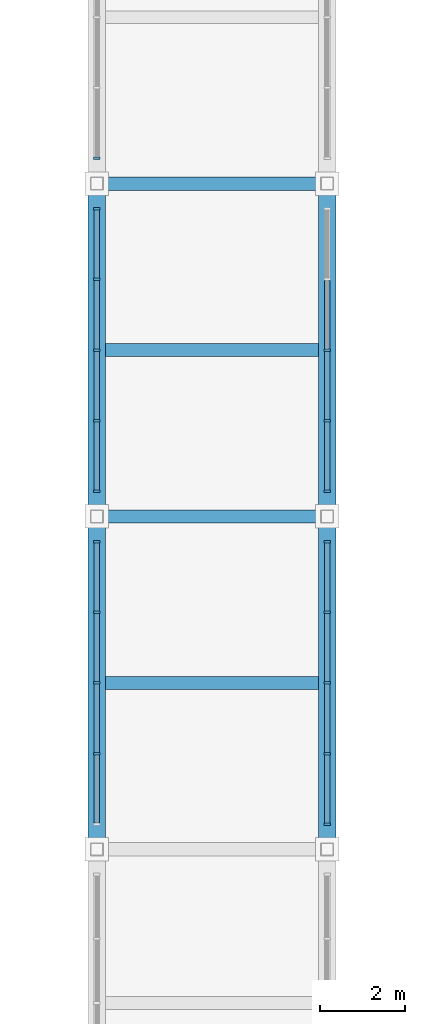
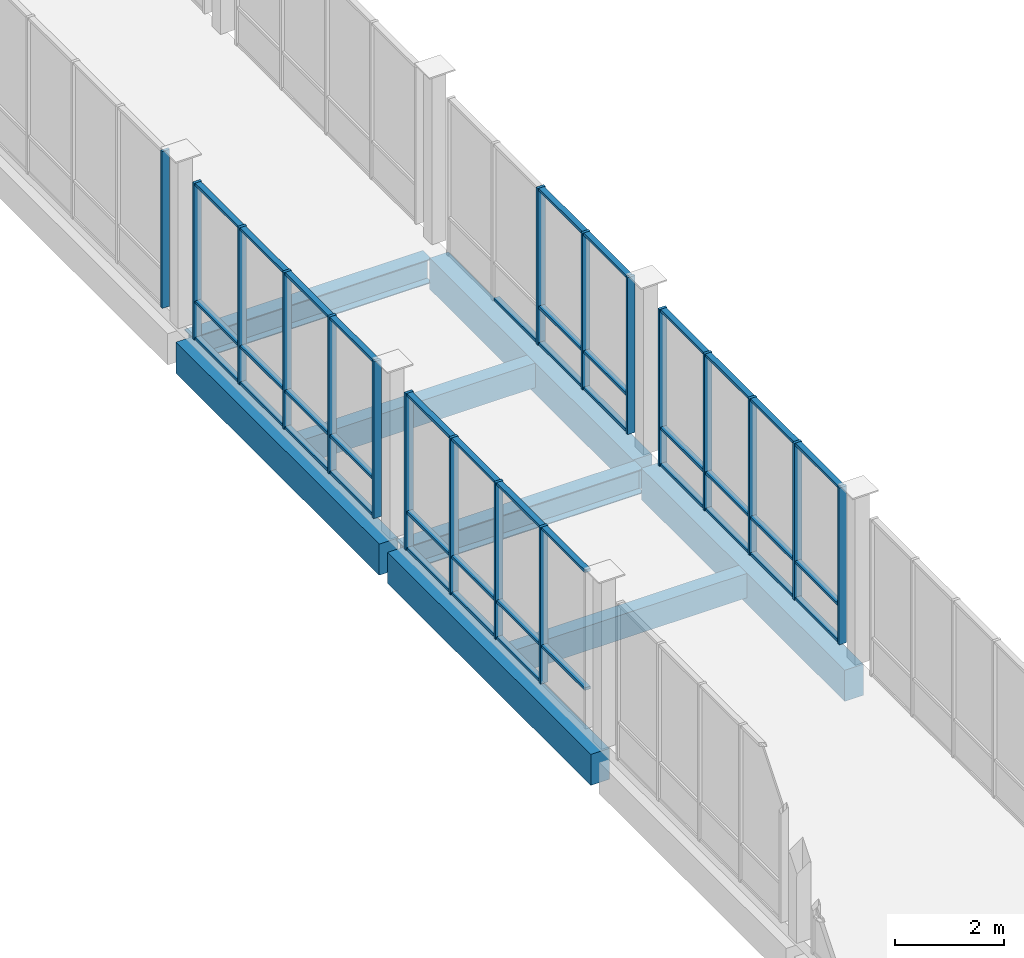
# One storey, part 23 of 85: 60 members, 8 beams, 5 elements without a shape of their own.
"""IFC4 building model written with IfcOpenShell, lengths in metres."""

from ifc_helpers import new_model, si_unit, direction, frame, origin, origin_2d, place, context, subcontext, project, spatial, rectangle, i_section, extrude, material, material_profile, profile_set, type_object, element, aggregate, save


model = new_model("IFC4")

# Units and contexts
model_context = context("Model", 3, precision=1e-05, world=origin(), true_north=direction((0.0, 1.0)))
body_context = subcontext(model_context, "Body", "Model", "MODEL_VIEW")
ifc_project = project(units=[si_unit("LENGTHUNIT", "METRE"), si_unit("AREAUNIT", "SQUARE_METRE"), si_unit("VOLUMEUNIT", "CUBIC_METRE"), si_unit("PLANEANGLEUNIT", "RADIAN"), si_unit("MASSUNIT", "GRAM", prefix="KILO")], contexts=[model_context])

# Site, building, storey
site_placement = place(None, origin())
site = spatial("IfcSite", under=ifc_project, at=site_placement, CompositionType="ELEMENT")
building_placement = place(site_placement, origin())
building = spatial("IfcBuilding", under=site, at=building_placement, Name="Vervanel Yard Central Library", CompositionType="ELEMENT")
storey_placement = place(building_placement, frame((0.0, 0.0, 5.10009765625)))
storey = spatial("IfcBuildingStorey", under=building, at=storey_placement, Name="L01", CompositionType="ELEMENT", Elevation=5.10009765625)

# Curtain wall, members
ifc_material_1 = material(Name="Thermally broken anodized aluminium 6063-T6", Category="aluminium")
curtain_wall_type = type_object("IfcCurtainWallType", Name="Boulevard Cafe & Bridge Curtain Wall", PredefinedType="NOTDEFINED", material=ifc_material_1)
curtain_wall_1_placement = place(storey_placement, origin())
curtain_wall_1 = element("IfcCurtainWall", 1, at=curtain_wall_1_placement, inside=storey, type_object=curtain_wall_type, Name="L01 Boulevard Cafe & Bridge Curtain Wall CWR-L01-179", PredefinedType="NOTDEFINED")
ifc_material_profile_1 = material_profile(ifc_material_1, rectangle(XDim=0.06005859375, YDim=0.159912109375, at=origin_2d()), Name="ALU 60x160", Category="aluminium")
ifc_profile_set_1 = profile_set([ifc_material_profile_1], Name="Thermally broken anodized aluminium 6063-T6")
member_type_1 = type_object("IfcMemberType", Name="Bridge & Courtyard Mullion 60x160", PredefinedType="MULLION", material=ifc_profile_set_1)
member_1_placement = place(storey_placement, frame((72.0, 45.445068359375, 0.0), z_axis=(0.0, 0.0, 1.0), x_axis=(0.0, 1.0, 0.0)))
member_1 = element("IfcMember", 2, at=member_1_placement, type_object=member_type_1, Name="CWR-L01-179 Mullion 2", PredefinedType="MULLION", context=body_context, shape_type="SweptSolid", body=[
    extrude(rectangle(XDim=0.06005859375, YDim=0.159912109375, at=origin_2d()), origin(), (0.0, 0.0, 1.0), 3.52978515625),
])
member_2_placement = place(storey_placement, frame((72.0, 47.10009765625, 0.0), z_axis=(0.0, 0.0, 1.0), x_axis=(0.0, 1.0, 0.0)))
member_2 = element("IfcMember", 3, at=member_2_placement, type_object=member_type_1, Name="CWR-L01-179 Mullion 3", PredefinedType="MULLION", context=body_context, shape_type="SweptSolid", body=[
    extrude(rectangle(XDim=0.06005859375, YDim=0.159912109375, at=origin_2d()), origin(), (0.0, 0.0, 1.0), 3.52978515625),
])
member_3_placement = place(storey_placement, frame((72.0, 48.7548828125, 0.0), z_axis=(0.0, 0.0, 1.0), x_axis=(0.0, 1.0, 0.0)))
member_3 = element("IfcMember", 4, at=member_3_placement, type_object=member_type_1, Name="CWR-L01-179 Mullion 4", PredefinedType="MULLION", context=body_context, shape_type="SweptSolid", body=[
    extrude(rectangle(XDim=0.06005859375, YDim=0.159912109375, at=origin_2d()), origin(), (0.0, 0.0, 1.0), 3.52978515625),
])
member_4_placement = place(storey_placement, frame((72.0, 50.409912109375, 0.0), z_axis=(0.0, 0.0, 1.0), x_axis=(0.0, 1.0, 0.0)))
member_4 = element("IfcMember", 5, at=member_4_placement, type_object=member_type_1, Name="CWR-L01-179 Mullion 5", PredefinedType="MULLION", context=body_context, shape_type="SweptSolid", body=[
    extrude(rectangle(XDim=0.06005859375, YDim=0.159912109375, at=origin_2d()), origin(), (0.0, 0.0, 1.0), 3.52978515625),
])

curtain_wall_2_placement = place(storey_placement, origin())
curtain_wall_2 = element("IfcCurtainWall", 6, at=curtain_wall_2_placement, inside=storey, type_object=curtain_wall_type, Name="L01 Boulevard Cafe & Bridge Curtain Wall CWR-L01-180", PredefinedType="NOTDEFINED")
member_5_placement = place(storey_placement, frame((72.0, 51.590087890625, 0.0), z_axis=(0.0, 0.0, 1.0), x_axis=(0.0, 1.0, 0.0)))
member_5 = element("IfcMember", 7, at=member_5_placement, type_object=member_type_1, Name="CWR-L01-180 Mullion 1", PredefinedType="MULLION", context=body_context, shape_type="SweptSolid", body=[
    extrude(rectangle(XDim=0.06005859375, YDim=0.159912109375, at=origin_2d()), origin(), (0.0, 0.0, 1.0), 3.52978515625),
])
member_6_placement = place(storey_placement, frame((72.0, 53.2451171875, 0.0), z_axis=(0.0, 0.0, 1.0), x_axis=(0.0, 1.0, 0.0)))
member_6 = element("IfcMember", 8, at=member_6_placement, type_object=member_type_1, Name="CWR-L01-180 Mullion 2", PredefinedType="MULLION", context=body_context, shape_type="SweptSolid", body=[
    extrude(rectangle(XDim=0.06005859375, YDim=0.159912109375, at=origin_2d()), origin(), (0.0, 0.0, 1.0), 3.52978515625),
])
member_7_placement = place(storey_placement, frame((72.0, 54.89990234375, 0.0), z_axis=(0.0, 0.0, 1.0), x_axis=(0.0, 1.0, 0.0)))
member_7 = element("IfcMember", 9, at=member_7_placement, type_object=member_type_1, Name="CWR-L01-180 Mullion 3", PredefinedType="MULLION", context=body_context, shape_type="SweptSolid", body=[
    extrude(rectangle(XDim=0.06005859375, YDim=0.159912109375, at=origin_2d()), origin(), (0.0, 0.0, 1.0), 3.52978515625),
])
member_8_placement = place(storey_placement, frame((72.0, 56.554931640625, 0.0), z_axis=(0.0, 0.0, 1.0), x_axis=(0.0, 1.0, 0.0)))
member_8 = element("IfcMember", 10, at=member_8_placement, type_object=member_type_1, Name="CWR-L01-180 Mullion 4", PredefinedType="MULLION", context=body_context, shape_type="SweptSolid", body=[
    extrude(rectangle(XDim=0.06005859375, YDim=0.159912109375, at=origin_2d()), origin(), (0.0, 0.0, 1.0), 3.52978515625),
])
member_9_placement = place(storey_placement, frame((72.0, 58.2099609375, 0.0), z_axis=(0.0, 0.0, 1.0), x_axis=(0.0, 1.0, 0.0)))
member_9 = element("IfcMember", 11, at=member_9_placement, type_object=member_type_1, Name="CWR-L01-180 Mullion 5", PredefinedType="MULLION", context=body_context, shape_type="SweptSolid", body=[
    extrude(rectangle(XDim=0.06005859375, YDim=0.159912109375, at=origin_2d()), origin(), (0.0, 0.0, 1.0), 3.52978515625),
])

# Curtain wall, member
curtain_wall_3_placement = place(storey_placement, origin())
curtain_wall_3 = element("IfcCurtainWall", 12, at=curtain_wall_3_placement, inside=storey, type_object=curtain_wall_type, Name="L01 Boulevard Cafe & Bridge Curtain Wall CWR-L01-181", PredefinedType="NOTDEFINED")
member_10_placement = place(storey_placement, frame((72.0, 59.389892578125, 0.0), z_axis=(0.0, 0.0, 1.0), x_axis=(0.0, 1.0, 0.0)))
member_10 = element("IfcMember", 13, at=member_10_placement, type_object=member_type_1, Name="CWR-L01-181 Mullion 1", PredefinedType="MULLION", context=body_context, shape_type="SweptSolid", body=[
    extrude(rectangle(XDim=0.06005859375, YDim=0.159912109375, at=origin_2d()), origin(), (0.0, 0.0, 1.0), 3.52978515625),
])
aggregate(curtain_wall_3, [member_10])

# Curtain wall, members
curtain_wall_4_placement = place(storey_placement, origin())
curtain_wall_4 = element("IfcCurtainWall", 14, at=curtain_wall_4_placement, inside=storey, type_object=curtain_wall_type, Name="L01 Boulevard Cafe & Bridge Curtain Wall CWR-L01-187", PredefinedType="NOTDEFINED")
member_11_placement = place(storey_placement, frame((77.39990234375, 43.7900390625, 0.0), z_axis=(0.0, 0.0, 1.0), x_axis=(0.0, 1.0, 0.0)))
member_11 = element("IfcMember", 15, at=member_11_placement, type_object=member_type_1, Name="CWR-L01-187 Mullion 1", PredefinedType="MULLION", context=body_context, shape_type="SweptSolid", body=[
    extrude(rectangle(XDim=0.06005859375, YDim=0.159912109375, at=origin_2d()), origin(), (0.0, 0.0, 1.0), 3.52978515625),
])
member_12_placement = place(storey_placement, frame((77.39990234375, 45.445068359375, 0.0), z_axis=(0.0, 0.0, 1.0), x_axis=(0.0, 1.0, 0.0)))
member_12 = element("IfcMember", 16, at=member_12_placement, type_object=member_type_1, Name="CWR-L01-187 Mullion 2", PredefinedType="MULLION", context=body_context, shape_type="SweptSolid", body=[
    extrude(rectangle(XDim=0.06005859375, YDim=0.159912109375, at=origin_2d()), origin(), (0.0, 0.0, 1.0), 3.52978515625),
])
member_13_placement = place(storey_placement, frame((77.39990234375, 47.10009765625, 0.0), z_axis=(0.0, 0.0, 1.0), x_axis=(0.0, 1.0, 0.0)))
member_13 = element("IfcMember", 17, at=member_13_placement, type_object=member_type_1, Name="CWR-L01-187 Mullion 3", PredefinedType="MULLION", context=body_context, shape_type="SweptSolid", body=[
    extrude(rectangle(XDim=0.06005859375, YDim=0.159912109375, at=origin_2d()), origin(), (0.0, 0.0, 1.0), 3.52978515625),
])
member_14_placement = place(storey_placement, frame((77.39990234375, 48.7548828125, 0.0), z_axis=(0.0, 0.0, 1.0), x_axis=(0.0, 1.0, 0.0)))
member_14 = element("IfcMember", 18, at=member_14_placement, type_object=member_type_1, Name="CWR-L01-187 Mullion 4", PredefinedType="MULLION", context=body_context, shape_type="SweptSolid", body=[
    extrude(rectangle(XDim=0.06005859375, YDim=0.159912109375, at=origin_2d()), origin(), (0.0, 0.0, 1.0), 3.52978515625),
])
member_15_placement = place(storey_placement, frame((77.39990234375, 50.409912109375, 0.0), z_axis=(0.0, 0.0, 1.0), x_axis=(0.0, 1.0, 0.0)))
member_15 = element("IfcMember", 19, at=member_15_placement, type_object=member_type_1, Name="CWR-L01-187 Mullion 5", PredefinedType="MULLION", context=body_context, shape_type="SweptSolid", body=[
    extrude(rectangle(XDim=0.06005859375, YDim=0.159912109375, at=origin_2d()), origin(), (0.0, 0.0, 1.0), 3.52978515625),
])

curtain_wall_5_placement = place(storey_placement, origin())
curtain_wall_5 = element("IfcCurtainWall", 20, at=curtain_wall_5_placement, inside=storey, type_object=curtain_wall_type, Name="L01 Boulevard Cafe & Bridge Curtain Wall CWR-L01-188", PredefinedType="NOTDEFINED")
member_16_placement = place(storey_placement, frame((77.39990234375, 51.590087890625, 0.0), z_axis=(0.0, 0.0, 1.0), x_axis=(0.0, 1.0, 0.0)))
member_16 = element("IfcMember", 21, at=member_16_placement, type_object=member_type_1, Name="CWR-L01-188 Mullion 1", PredefinedType="MULLION", context=body_context, shape_type="SweptSolid", body=[
    extrude(rectangle(XDim=0.06005859375, YDim=0.159912109375, at=origin_2d()), origin(), (0.0, 0.0, 1.0), 3.52978515625),
])
member_17_placement = place(storey_placement, frame((77.39990234375, 53.2451171875, 0.0), z_axis=(0.0, 0.0, 1.0), x_axis=(0.0, 1.0, 0.0)))
member_17 = element("IfcMember", 22, at=member_17_placement, type_object=member_type_1, Name="CWR-L01-188 Mullion 2", PredefinedType="MULLION", context=body_context, shape_type="SweptSolid", body=[
    extrude(rectangle(XDim=0.06005859375, YDim=0.159912109375, at=origin_2d()), origin(), (0.0, 0.0, 1.0), 3.52978515625),
])
member_18_placement = place(storey_placement, frame((77.39990234375, 54.89990234375, 0.0), z_axis=(0.0, 0.0, 1.0), x_axis=(0.0, 1.0, 0.0)))
member_18 = element("IfcMember", 23, at=member_18_placement, type_object=member_type_1, Name="CWR-L01-188 Mullion 3", PredefinedType="MULLION", context=body_context, shape_type="SweptSolid", body=[
    extrude(rectangle(XDim=0.06005859375, YDim=0.159912109375, at=origin_2d()), origin(), (0.0, 0.0, 1.0), 3.52978515625),
])

# Member
ifc_material_profile_2 = material_profile(ifc_material_1, rectangle(XDim=0.06005859375, YDim=0.1201171875, at=origin_2d()), Name="ALU 60x120", Category="aluminium")
ifc_profile_set_2 = profile_set([ifc_material_profile_2], Name="Thermally broken anodized aluminium 6063-T6")
member_type_2 = type_object("IfcMemberType", Name="Bridge & Courtyard Transom 60x120", PredefinedType="NOTDEFINED", material=ifc_profile_set_2)
member_19_placement = place(storey_placement, frame((72.0, 43.820068359375, 0.849853515625), z_axis=(0.0, 1.0, 0.0), x_axis=(0.0, 0.0, 1.0)))
member_19 = element("IfcMember", 24, at=member_19_placement, type_object=member_type_2, Name="CWR-L01-179 Transom B1-T2", ObjectType="TRANSOM", PredefinedType="USERDEFINED", context=body_context, shape_type="SweptSolid", body=[
    extrude(rectangle(XDim=0.06005859375, YDim=0.1201171875, at=origin_2d()), origin(), (0.0, 0.0, 1.0), 1.594970703125),
])

member_20_placement = place(storey_placement, frame((72.0, 43.820068359375, 3.5), z_axis=(0.0, 1.0, 0.0), x_axis=(0.0, 0.0, 1.0)))
member_20 = element("IfcMember", 25, at=member_20_placement, type_object=member_type_2, Name="CWR-L01-179 Transom B1-T3", ObjectType="TRANSOM", PredefinedType="USERDEFINED", context=body_context, shape_type="SweptSolid", body=[
    extrude(rectangle(XDim=0.06005859375, YDim=0.1201171875, at=origin_2d()), origin(), (0.0, 0.0, 1.0), 1.594970703125),
])

member_21_placement = place(storey_placement, frame((72.0, 45.47509765625, 0.02978515625), z_axis=(0.0, 1.0, 0.0), x_axis=(0.0, 0.0, 1.0)))
member_21 = element("IfcMember", 26, at=member_21_placement, type_object=member_type_2, Name="CWR-L01-179 Transom B2-T1", ObjectType="TRANSOM", PredefinedType="USERDEFINED", context=body_context, shape_type="SweptSolid", body=[
    extrude(rectangle(XDim=0.06005859375, YDim=0.1201171875, at=origin_2d()), origin(), (0.0, 0.0, 1.0), 1.594970703125),
])

member_22_placement = place(storey_placement, frame((72.0, 45.47509765625, 0.849853515625), z_axis=(0.0, 1.0, 0.0), x_axis=(0.0, 0.0, 1.0)))
member_22 = element("IfcMember", 27, at=member_22_placement, type_object=member_type_2, Name="CWR-L01-179 Transom B2-T2", ObjectType="TRANSOM", PredefinedType="USERDEFINED", context=body_context, shape_type="SweptSolid", body=[
    extrude(rectangle(XDim=0.06005859375, YDim=0.1201171875, at=origin_2d()), origin(), (0.0, 0.0, 1.0), 1.594970703125),
])

member_23_placement = place(storey_placement, frame((72.0, 45.47509765625, 3.5), z_axis=(0.0, 1.0, 0.0), x_axis=(0.0, 0.0, 1.0)))
member_23 = element("IfcMember", 28, at=member_23_placement, type_object=member_type_2, Name="CWR-L01-179 Transom B2-T3", ObjectType="TRANSOM", PredefinedType="USERDEFINED", context=body_context, shape_type="SweptSolid", body=[
    extrude(rectangle(XDim=0.06005859375, YDim=0.1201171875, at=origin_2d()), origin(), (0.0, 0.0, 1.0), 1.594970703125),
])

member_24_placement = place(storey_placement, frame((72.0, 47.1298828125, 0.02978515625), z_axis=(0.0, 1.0, 0.0), x_axis=(0.0, 0.0, 1.0)))
member_24 = element("IfcMember", 29, at=member_24_placement, type_object=member_type_2, Name="CWR-L01-179 Transom B3-T1", ObjectType="TRANSOM", PredefinedType="USERDEFINED", context=body_context, shape_type="SweptSolid", body=[
    extrude(rectangle(XDim=0.06005859375, YDim=0.1201171875, at=origin_2d()), origin(), (0.0, 0.0, 1.0), 1.59521484375),
])

member_25_placement = place(storey_placement, frame((72.0, 47.1298828125, 0.849853515625), z_axis=(0.0, 1.0, 0.0), x_axis=(0.0, 0.0, 1.0)))
member_25 = element("IfcMember", 30, at=member_25_placement, type_object=member_type_2, Name="CWR-L01-179 Transom B3-T2", ObjectType="TRANSOM", PredefinedType="USERDEFINED", context=body_context, shape_type="SweptSolid", body=[
    extrude(rectangle(XDim=0.06005859375, YDim=0.1201171875, at=origin_2d()), origin(), (0.0, 0.0, 1.0), 1.59521484375),
])

member_26_placement = place(storey_placement, frame((72.0, 47.1298828125, 3.5), z_axis=(0.0, 1.0, 0.0), x_axis=(0.0, 0.0, 1.0)))
member_26 = element("IfcMember", 31, at=member_26_placement, type_object=member_type_2, Name="CWR-L01-179 Transom B3-T3", ObjectType="TRANSOM", PredefinedType="USERDEFINED", context=body_context, shape_type="SweptSolid", body=[
    extrude(rectangle(XDim=0.06005859375, YDim=0.1201171875, at=origin_2d()), origin(), (0.0, 0.0, 1.0), 1.59521484375),
])

member_27_placement = place(storey_placement, frame((72.0, 48.784912109375, 0.02978515625), z_axis=(0.0, 1.0, 0.0), x_axis=(0.0, 0.0, 1.0)))
member_27 = element("IfcMember", 32, at=member_27_placement, type_object=member_type_2, Name="CWR-L01-179 Transom B4-T1", ObjectType="TRANSOM", PredefinedType="USERDEFINED", context=body_context, shape_type="SweptSolid", body=[
    extrude(rectangle(XDim=0.06005859375, YDim=0.1201171875, at=origin_2d()), origin(), (0.0, 0.0, 1.0), 1.594970703125),
])

member_28_placement = place(storey_placement, frame((72.0, 48.784912109375, 0.849853515625), z_axis=(0.0, 1.0, 0.0), x_axis=(0.0, 0.0, 1.0)))
member_28 = element("IfcMember", 33, at=member_28_placement, type_object=member_type_2, Name="CWR-L01-179 Transom B4-T2", ObjectType="TRANSOM", PredefinedType="USERDEFINED", context=body_context, shape_type="SweptSolid", body=[
    extrude(rectangle(XDim=0.06005859375, YDim=0.1201171875, at=origin_2d()), origin(), (0.0, 0.0, 1.0), 1.594970703125),
])

member_29_placement = place(storey_placement, frame((72.0, 48.784912109375, 3.5), z_axis=(0.0, 1.0, 0.0), x_axis=(0.0, 0.0, 1.0)))
member_29 = element("IfcMember", 34, at=member_29_placement, type_object=member_type_2, Name="CWR-L01-179 Transom B4-T3", ObjectType="TRANSOM", PredefinedType="USERDEFINED", context=body_context, shape_type="SweptSolid", body=[
    extrude(rectangle(XDim=0.06005859375, YDim=0.1201171875, at=origin_2d()), origin(), (0.0, 0.0, 1.0), 1.594970703125),
])

aggregate(curtain_wall_1, [member_1, member_2, member_3, member_4, member_19, member_20, member_21, member_22, member_23, member_24, member_25, member_26, member_27, member_28, member_29])

member_30_placement = place(storey_placement, frame((72.0, 51.6201171875, 0.02978515625), z_axis=(0.0, 1.0, 0.0), x_axis=(0.0, 0.0, 1.0)))
member_30 = element("IfcMember", 35, at=member_30_placement, type_object=member_type_2, Name="CWR-L01-180 Transom B1-T1", ObjectType="TRANSOM", PredefinedType="USERDEFINED", context=body_context, shape_type="SweptSolid", body=[
    extrude(rectangle(XDim=0.06005859375, YDim=0.1201171875, at=origin_2d()), origin(), (0.0, 0.0, 1.0), 1.594970703125),
])

member_31_placement = place(storey_placement, frame((72.0, 51.6201171875, 0.849853515625), z_axis=(0.0, 1.0, 0.0), x_axis=(0.0, 0.0, 1.0)))
member_31 = element("IfcMember", 36, at=member_31_placement, type_object=member_type_2, Name="CWR-L01-180 Transom B1-T2", ObjectType="TRANSOM", PredefinedType="USERDEFINED", context=body_context, shape_type="SweptSolid", body=[
    extrude(rectangle(XDim=0.06005859375, YDim=0.1201171875, at=origin_2d()), origin(), (0.0, 0.0, 1.0), 1.594970703125),
])

member_32_placement = place(storey_placement, frame((72.0, 51.6201171875, 3.5), z_axis=(0.0, 1.0, 0.0), x_axis=(0.0, 0.0, 1.0)))
member_32 = element("IfcMember", 37, at=member_32_placement, type_object=member_type_2, Name="CWR-L01-180 Transom B1-T3", ObjectType="TRANSOM", PredefinedType="USERDEFINED", context=body_context, shape_type="SweptSolid", body=[
    extrude(rectangle(XDim=0.06005859375, YDim=0.1201171875, at=origin_2d()), origin(), (0.0, 0.0, 1.0), 1.594970703125),
])

member_33_placement = place(storey_placement, frame((72.0, 53.27490234375, 0.02978515625), z_axis=(0.0, 1.0, 0.0), x_axis=(0.0, 0.0, 1.0)))
member_33 = element("IfcMember", 38, at=member_33_placement, type_object=member_type_2, Name="CWR-L01-180 Transom B2-T1", ObjectType="TRANSOM", PredefinedType="USERDEFINED", context=body_context, shape_type="SweptSolid", body=[
    extrude(rectangle(XDim=0.06005859375, YDim=0.1201171875, at=origin_2d()), origin(), (0.0, 0.0, 1.0), 1.59521484375),
])

member_34_placement = place(storey_placement, frame((72.0, 53.27490234375, 0.849853515625), z_axis=(0.0, 1.0, 0.0), x_axis=(0.0, 0.0, 1.0)))
member_34 = element("IfcMember", 39, at=member_34_placement, type_object=member_type_2, Name="CWR-L01-180 Transom B2-T2", ObjectType="TRANSOM", PredefinedType="USERDEFINED", context=body_context, shape_type="SweptSolid", body=[
    extrude(rectangle(XDim=0.06005859375, YDim=0.1201171875, at=origin_2d()), origin(), (0.0, 0.0, 1.0), 1.59521484375),
])

member_35_placement = place(storey_placement, frame((72.0, 53.27490234375, 3.5), z_axis=(0.0, 1.0, 0.0), x_axis=(0.0, 0.0, 1.0)))
member_35 = element("IfcMember", 40, at=member_35_placement, type_object=member_type_2, Name="CWR-L01-180 Transom B2-T3", ObjectType="TRANSOM", PredefinedType="USERDEFINED", context=body_context, shape_type="SweptSolid", body=[
    extrude(rectangle(XDim=0.06005859375, YDim=0.1201171875, at=origin_2d()), origin(), (0.0, 0.0, 1.0), 1.59521484375),
])

member_36_placement = place(storey_placement, frame((72.0, 54.929931640625, 0.02978515625), z_axis=(0.0, 1.0, 0.0), x_axis=(0.0, 0.0, 1.0)))
member_36 = element("IfcMember", 41, at=member_36_placement, type_object=member_type_2, Name="CWR-L01-180 Transom B3-T1", ObjectType="TRANSOM", PredefinedType="USERDEFINED", context=body_context, shape_type="SweptSolid", body=[
    extrude(rectangle(XDim=0.06005859375, YDim=0.1201171875, at=origin_2d()), origin(), (0.0, 0.0, 1.0), 1.594970703125),
])

member_37_placement = place(storey_placement, frame((72.0, 54.929931640625, 0.849853515625), z_axis=(0.0, 1.0, 0.0), x_axis=(0.0, 0.0, 1.0)))
member_37 = element("IfcMember", 42, at=member_37_placement, type_object=member_type_2, Name="CWR-L01-180 Transom B3-T2", ObjectType="TRANSOM", PredefinedType="USERDEFINED", context=body_context, shape_type="SweptSolid", body=[
    extrude(rectangle(XDim=0.06005859375, YDim=0.1201171875, at=origin_2d()), origin(), (0.0, 0.0, 1.0), 1.594970703125),
])

member_38_placement = place(storey_placement, frame((72.0, 54.929931640625, 3.5), z_axis=(0.0, 1.0, 0.0), x_axis=(0.0, 0.0, 1.0)))
member_38 = element("IfcMember", 43, at=member_38_placement, type_object=member_type_2, Name="CWR-L01-180 Transom B3-T3", ObjectType="TRANSOM", PredefinedType="USERDEFINED", context=body_context, shape_type="SweptSolid", body=[
    extrude(rectangle(XDim=0.06005859375, YDim=0.1201171875, at=origin_2d()), origin(), (0.0, 0.0, 1.0), 1.594970703125),
])

member_39_placement = place(storey_placement, frame((72.0, 56.5849609375, 0.02978515625), z_axis=(0.0, 1.0, 0.0), x_axis=(0.0, 0.0, 1.0)))
member_39 = element("IfcMember", 44, at=member_39_placement, type_object=member_type_2, Name="CWR-L01-180 Transom B4-T1", ObjectType="TRANSOM", PredefinedType="USERDEFINED", context=body_context, shape_type="SweptSolid", body=[
    extrude(rectangle(XDim=0.06005859375, YDim=0.1201171875, at=origin_2d()), origin(), (0.0, 0.0, 1.0), 1.594970703125),
])

member_40_placement = place(storey_placement, frame((72.0, 56.5849609375, 0.849853515625), z_axis=(0.0, 1.0, 0.0), x_axis=(0.0, 0.0, 1.0)))
member_40 = element("IfcMember", 45, at=member_40_placement, type_object=member_type_2, Name="CWR-L01-180 Transom B4-T2", ObjectType="TRANSOM", PredefinedType="USERDEFINED", context=body_context, shape_type="SweptSolid", body=[
    extrude(rectangle(XDim=0.06005859375, YDim=0.1201171875, at=origin_2d()), origin(), (0.0, 0.0, 1.0), 1.594970703125),
])

member_41_placement = place(storey_placement, frame((72.0, 56.5849609375, 3.5), z_axis=(0.0, 1.0, 0.0), x_axis=(0.0, 0.0, 1.0)))
member_41 = element("IfcMember", 46, at=member_41_placement, type_object=member_type_2, Name="CWR-L01-180 Transom B4-T3", ObjectType="TRANSOM", PredefinedType="USERDEFINED", context=body_context, shape_type="SweptSolid", body=[
    extrude(rectangle(XDim=0.06005859375, YDim=0.1201171875, at=origin_2d()), origin(), (0.0, 0.0, 1.0), 1.594970703125),
])

aggregate(curtain_wall_2, [member_5, member_6, member_7, member_8, member_9, member_30, member_31, member_32, member_33, member_34, member_35, member_36, member_37, member_38, member_39, member_40, member_41])

member_42_placement = place(storey_placement, frame((77.39990234375, 43.820068359375, 0.02978515625), z_axis=(0.0, 1.0, 0.0), x_axis=(0.0, 0.0, 1.0)))
member_42 = element("IfcMember", 47, at=member_42_placement, type_object=member_type_2, Name="CWR-L01-187 Transom B1-T1", ObjectType="TRANSOM", PredefinedType="USERDEFINED", context=body_context, shape_type="SweptSolid", body=[
    extrude(rectangle(XDim=0.06005859375, YDim=0.1201171875, at=origin_2d()), origin(), (0.0, 0.0, 1.0), 1.594970703125),
])

member_43_placement = place(storey_placement, frame((77.39990234375, 43.820068359375, 0.849853515625), z_axis=(0.0, 1.0, 0.0), x_axis=(0.0, 0.0, 1.0)))
member_43 = element("IfcMember", 48, at=member_43_placement, type_object=member_type_2, Name="CWR-L01-187 Transom B1-T2", ObjectType="TRANSOM", PredefinedType="USERDEFINED", context=body_context, shape_type="SweptSolid", body=[
    extrude(rectangle(XDim=0.06005859375, YDim=0.1201171875, at=origin_2d()), origin(), (0.0, 0.0, 1.0), 1.594970703125),
])

member_44_placement = place(storey_placement, frame((77.39990234375, 43.820068359375, 3.5), z_axis=(0.0, 1.0, 0.0), x_axis=(0.0, 0.0, 1.0)))
member_44 = element("IfcMember", 49, at=member_44_placement, type_object=member_type_2, Name="CWR-L01-187 Transom B1-T3", ObjectType="TRANSOM", PredefinedType="USERDEFINED", context=body_context, shape_type="SweptSolid", body=[
    extrude(rectangle(XDim=0.06005859375, YDim=0.1201171875, at=origin_2d()), origin(), (0.0, 0.0, 1.0), 1.594970703125),
])

member_45_placement = place(storey_placement, frame((77.39990234375, 45.47509765625, 0.02978515625), z_axis=(0.0, 1.0, 0.0), x_axis=(0.0, 0.0, 1.0)))
member_45 = element("IfcMember", 50, at=member_45_placement, type_object=member_type_2, Name="CWR-L01-187 Transom B2-T1", ObjectType="TRANSOM", PredefinedType="USERDEFINED", context=body_context, shape_type="SweptSolid", body=[
    extrude(rectangle(XDim=0.06005859375, YDim=0.1201171875, at=origin_2d()), origin(), (0.0, 0.0, 1.0), 1.594970703125),
])

member_46_placement = place(storey_placement, frame((77.39990234375, 45.47509765625, 0.849853515625), z_axis=(0.0, 1.0, 0.0), x_axis=(0.0, 0.0, 1.0)))
member_46 = element("IfcMember", 51, at=member_46_placement, type_object=member_type_2, Name="CWR-L01-187 Transom B2-T2", ObjectType="TRANSOM", PredefinedType="USERDEFINED", context=body_context, shape_type="SweptSolid", body=[
    extrude(rectangle(XDim=0.06005859375, YDim=0.1201171875, at=origin_2d()), origin(), (0.0, 0.0, 1.0), 1.594970703125),
])

member_47_placement = place(storey_placement, frame((77.39990234375, 45.47509765625, 3.5), z_axis=(0.0, 1.0, 0.0), x_axis=(0.0, 0.0, 1.0)))
member_47 = element("IfcMember", 52, at=member_47_placement, type_object=member_type_2, Name="CWR-L01-187 Transom B2-T3", ObjectType="TRANSOM", PredefinedType="USERDEFINED", context=body_context, shape_type="SweptSolid", body=[
    extrude(rectangle(XDim=0.06005859375, YDim=0.1201171875, at=origin_2d()), origin(), (0.0, 0.0, 1.0), 1.594970703125),
])

member_48_placement = place(storey_placement, frame((77.39990234375, 47.1298828125, 0.02978515625), z_axis=(0.0, 1.0, 0.0), x_axis=(0.0, 0.0, 1.0)))
member_48 = element("IfcMember", 53, at=member_48_placement, type_object=member_type_2, Name="CWR-L01-187 Transom B3-T1", ObjectType="TRANSOM", PredefinedType="USERDEFINED", context=body_context, shape_type="SweptSolid", body=[
    extrude(rectangle(XDim=0.06005859375, YDim=0.1201171875, at=origin_2d()), origin(), (0.0, 0.0, 1.0), 1.59521484375),
])

member_49_placement = place(storey_placement, frame((77.39990234375, 47.1298828125, 0.849853515625), z_axis=(0.0, 1.0, 0.0), x_axis=(0.0, 0.0, 1.0)))
member_49 = element("IfcMember", 54, at=member_49_placement, type_object=member_type_2, Name="CWR-L01-187 Transom B3-T2", ObjectType="TRANSOM", PredefinedType="USERDEFINED", context=body_context, shape_type="SweptSolid", body=[
    extrude(rectangle(XDim=0.06005859375, YDim=0.1201171875, at=origin_2d()), origin(), (0.0, 0.0, 1.0), 1.59521484375),
])

member_50_placement = place(storey_placement, frame((77.39990234375, 47.1298828125, 3.5), z_axis=(0.0, 1.0, 0.0), x_axis=(0.0, 0.0, 1.0)))
member_50 = element("IfcMember", 55, at=member_50_placement, type_object=member_type_2, Name="CWR-L01-187 Transom B3-T3", ObjectType="TRANSOM", PredefinedType="USERDEFINED", context=body_context, shape_type="SweptSolid", body=[
    extrude(rectangle(XDim=0.06005859375, YDim=0.1201171875, at=origin_2d()), origin(), (0.0, 0.0, 1.0), 1.59521484375),
])

member_51_placement = place(storey_placement, frame((77.39990234375, 48.784912109375, 0.02978515625), z_axis=(0.0, 1.0, 0.0), x_axis=(0.0, 0.0, 1.0)))
member_51 = element("IfcMember", 56, at=member_51_placement, type_object=member_type_2, Name="CWR-L01-187 Transom B4-T1", ObjectType="TRANSOM", PredefinedType="USERDEFINED", context=body_context, shape_type="SweptSolid", body=[
    extrude(rectangle(XDim=0.06005859375, YDim=0.1201171875, at=origin_2d()), origin(), (0.0, 0.0, 1.0), 1.594970703125),
])

member_52_placement = place(storey_placement, frame((77.39990234375, 48.784912109375, 0.849853515625), z_axis=(0.0, 1.0, 0.0), x_axis=(0.0, 0.0, 1.0)))
member_52 = element("IfcMember", 57, at=member_52_placement, type_object=member_type_2, Name="CWR-L01-187 Transom B4-T2", ObjectType="TRANSOM", PredefinedType="USERDEFINED", context=body_context, shape_type="SweptSolid", body=[
    extrude(rectangle(XDim=0.06005859375, YDim=0.1201171875, at=origin_2d()), origin(), (0.0, 0.0, 1.0), 1.594970703125),
])

member_53_placement = place(storey_placement, frame((77.39990234375, 48.784912109375, 3.5), z_axis=(0.0, 1.0, 0.0), x_axis=(0.0, 0.0, 1.0)))
member_53 = element("IfcMember", 58, at=member_53_placement, type_object=member_type_2, Name="CWR-L01-187 Transom B4-T3", ObjectType="TRANSOM", PredefinedType="USERDEFINED", context=body_context, shape_type="SweptSolid", body=[
    extrude(rectangle(XDim=0.06005859375, YDim=0.1201171875, at=origin_2d()), origin(), (0.0, 0.0, 1.0), 1.594970703125),
])

aggregate(curtain_wall_4, [member_11, member_12, member_13, member_14, member_15, member_42, member_43, member_44, member_45, member_46, member_47, member_48, member_49, member_50, member_51, member_52, member_53])

member_54_placement = place(storey_placement, frame((77.39990234375, 51.6201171875, 0.02978515625), z_axis=(0.0, 1.0, 0.0), x_axis=(0.0, 0.0, 1.0)))
member_54 = element("IfcMember", 59, at=member_54_placement, type_object=member_type_2, Name="CWR-L01-188 Transom B1-T1", ObjectType="TRANSOM", PredefinedType="USERDEFINED", context=body_context, shape_type="SweptSolid", body=[
    extrude(rectangle(XDim=0.06005859375, YDim=0.1201171875, at=origin_2d()), origin(), (0.0, 0.0, 1.0), 1.594970703125),
])

member_55_placement = place(storey_placement, frame((77.39990234375, 51.6201171875, 0.849853515625), z_axis=(0.0, 1.0, 0.0), x_axis=(0.0, 0.0, 1.0)))
member_55 = element("IfcMember", 60, at=member_55_placement, type_object=member_type_2, Name="CWR-L01-188 Transom B1-T2", ObjectType="TRANSOM", PredefinedType="USERDEFINED", context=body_context, shape_type="SweptSolid", body=[
    extrude(rectangle(XDim=0.06005859375, YDim=0.1201171875, at=origin_2d()), origin(), (0.0, 0.0, 1.0), 1.594970703125),
])

member_56_placement = place(storey_placement, frame((77.39990234375, 51.6201171875, 3.5), z_axis=(0.0, 1.0, 0.0), x_axis=(0.0, 0.0, 1.0)))
member_56 = element("IfcMember", 61, at=member_56_placement, type_object=member_type_2, Name="CWR-L01-188 Transom B1-T3", ObjectType="TRANSOM", PredefinedType="USERDEFINED", context=body_context, shape_type="SweptSolid", body=[
    extrude(rectangle(XDim=0.06005859375, YDim=0.1201171875, at=origin_2d()), origin(), (0.0, 0.0, 1.0), 1.594970703125),
])

member_57_placement = place(storey_placement, frame((77.39990234375, 53.27490234375, 0.02978515625), z_axis=(0.0, 1.0, 0.0), x_axis=(0.0, 0.0, 1.0)))
member_57 = element("IfcMember", 62, at=member_57_placement, type_object=member_type_2, Name="CWR-L01-188 Transom B2-T1", ObjectType="TRANSOM", PredefinedType="USERDEFINED", context=body_context, shape_type="SweptSolid", body=[
    extrude(rectangle(XDim=0.06005859375, YDim=0.1201171875, at=origin_2d()), origin(), (0.0, 0.0, 1.0), 1.59521484375),
])

member_58_placement = place(storey_placement, frame((77.39990234375, 53.27490234375, 0.849853515625), z_axis=(0.0, 1.0, 0.0), x_axis=(0.0, 0.0, 1.0)))
member_58 = element("IfcMember", 63, at=member_58_placement, type_object=member_type_2, Name="CWR-L01-188 Transom B2-T2", ObjectType="TRANSOM", PredefinedType="USERDEFINED", context=body_context, shape_type="SweptSolid", body=[
    extrude(rectangle(XDim=0.06005859375, YDim=0.1201171875, at=origin_2d()), origin(), (0.0, 0.0, 1.0), 1.59521484375),
])

member_59_placement = place(storey_placement, frame((77.39990234375, 53.27490234375, 3.5), z_axis=(0.0, 1.0, 0.0), x_axis=(0.0, 0.0, 1.0)))
member_59 = element("IfcMember", 64, at=member_59_placement, type_object=member_type_2, Name="CWR-L01-188 Transom B2-T3", ObjectType="TRANSOM", PredefinedType="USERDEFINED", context=body_context, shape_type="SweptSolid", body=[
    extrude(rectangle(XDim=0.06005859375, YDim=0.1201171875, at=origin_2d()), origin(), (0.0, 0.0, 1.0), 1.59521484375),
])

member_60_placement = place(storey_placement, frame((77.39990234375, 54.929931640625, 0.02978515625), z_axis=(0.0, 1.0, 0.0), x_axis=(0.0, 0.0, 1.0)))
member_60 = element("IfcMember", 65, at=member_60_placement, type_object=member_type_2, Name="CWR-L01-188 Transom B3-T1", ObjectType="TRANSOM", PredefinedType="USERDEFINED", context=body_context, shape_type="SweptSolid", body=[
    extrude(rectangle(XDim=0.06005859375, YDim=0.1201171875, at=origin_2d()), origin(), (0.0, 0.0, 1.0), 1.594970703125),
])

aggregate(curtain_wall_5, [member_16, member_17, member_18, member_54, member_55, member_56, member_57, member_58, member_59, member_60])

# Beams
ifc_material_2 = material(Name="Concrete C40/50", Category="concrete")
ifc_material_profile_3 = material_profile(ifc_material_2, rectangle(XDim=0.39990234375, YDim=0.699951171875, at=origin_2d()), Name="RC 400x700", Category="concrete")
ifc_profile_set_3 = profile_set([ifc_material_profile_3], Name="Concrete C40/50")
beam_type_1 = type_object("IfcBeamType", Name="Concrete Perimeter Spandrel 400x700", PredefinedType="SPANDREL", material=ifc_profile_set_3)
for number, where, z_axis, x_axis, name in (
    (66, (72.0, 43.352294921875, -0.630126953125), (0.0, 1.0, 0.0), (-1.0, 0.0, 0.0), "L01 Girder SP-01 X=72.0 Y=43.2-51.0"),
    (67, (72.0, 51.15234375, -0.630126953125), (0.0, 1.0, 0.0), (-1.0, 0.0, 0.0), "L01 Girder SP-01 X=72.0 Y=51.0-58.8"),
    (68, (77.39990234375, 43.352294921875, -0.630126953125), (0.0, 1.0, 0.0), (-1.0, 0.0, 0.0), "L01 Girder SP-01 X=77.4 Y=43.2-51.0"),
    (69, (77.39990234375, 51.15234375, -0.630126953125), (0.0, 1.0, 0.0), (-1.0, 0.0, 0.0), "L01 Girder SP-01 X=77.4 Y=51.0-58.8"),
):
    element("IfcBeam", number, at=place(storey_placement, frame(where, z_axis=z_axis, x_axis=x_axis)), inside=storey, type_object=beam_type_1, Name=name, PredefinedType="SPANDREL", context=body_context, shape_type="SweptSolid", body=[
        extrude(rectangle(XDim=0.39990234375, YDim=0.699951171875, at=origin_2d()), origin(), (0.0, 0.0, 1.0), 7.495361328125),
    ])
ifc_material_profile_4 = material_profile(ifc_material_2, rectangle(XDim=0.300048828125, YDim=0.550048828125, at=origin_2d()), Name="RC 300x550", Category="concrete")
ifc_profile_set_4 = profile_set([ifc_material_profile_4], Name="Concrete C40/50")
beam_type_2 = type_object("IfcBeamType", Name="Concrete Secondary Joist 300x550", PredefinedType="JOIST", material=ifc_profile_set_4)
for number, where, z_axis, x_axis, name in (
    (70, (72.199951171875, 47.10009765625, -0.55517578125), (1.0, 0.0, 0.0), (0.0, 1.0, 0.0), "L01 Floor Joist CJ-02 Y=47.10 X=72.0-77.4"),
    (71, (72.199951171875, 54.89990234375, -0.55517578125), (1.0, 0.0, 0.0), (0.0, 1.0, 0.0), "L01 Floor Joist CJ-02 Y=54.90 X=72.0-77.4"),
):
    element("IfcBeam", number, at=place(storey_placement, frame(where, z_axis=z_axis, x_axis=x_axis)), inside=storey, type_object=beam_type_2, Name=name, PredefinedType="JOIST", context=body_context, shape_type="SweptSolid", body=[
        extrude(rectangle(XDim=0.300048828125, YDim=0.550048828125, at=origin_2d()), origin(), (0.0, 0.0, 1.0), 5.0),
    ])
ifc_material_3 = material(Name="Steel ASTM A992 Grade 50", Category="steel")
ifc_material_profile_5 = material_profile(ifc_material_3, i_section(OverallWidth=0.3125, OverallDepth=0.54345703125, WebThickness=0.0126953125, FlangeThickness=0.020263671875, at=origin_2d()), Name="W21X101", Category="steel")
ifc_profile_set_5 = profile_set([ifc_material_profile_5], Name="Steel ASTM A992 Grade 50")
beam_type_3 = type_object("IfcBeamType", Name="Steel Bridge Girder W21X101", PredefinedType="BEAM", material=ifc_profile_set_5)
for number, where, z_axis, x_axis, name in (
    (72, (72.159912109375, 51.0, -0.576904296875), (1.0, 0.0, 0.0), (0.0, 1.0, 0.0), "L01 Courtyard Reading Bridge Transverse Girder SB-07-4"),
    (73, (72.159912109375, 58.800048828125, -0.576904296875), (1.0, 0.0, 0.0), (0.0, 1.0, 0.0), "L01 Courtyard Reading Bridge Transverse Girder SB-07-5"),
):
    element("IfcBeam", number, at=place(storey_placement, frame(where, z_axis=z_axis, x_axis=x_axis)), inside=storey, type_object=beam_type_3, Name=name, PredefinedType="BEAM", context=body_context, shape_type="SweptSolid", body=[
        extrude(i_section(OverallWidth=0.3125, OverallDepth=0.54345703125, WebThickness=0.0126953125, FlangeThickness=0.020263671875, at=origin_2d()), origin(), (0.0, 0.0, 1.0), 5.080078125),
    ])

save(model, "model.ifc")
